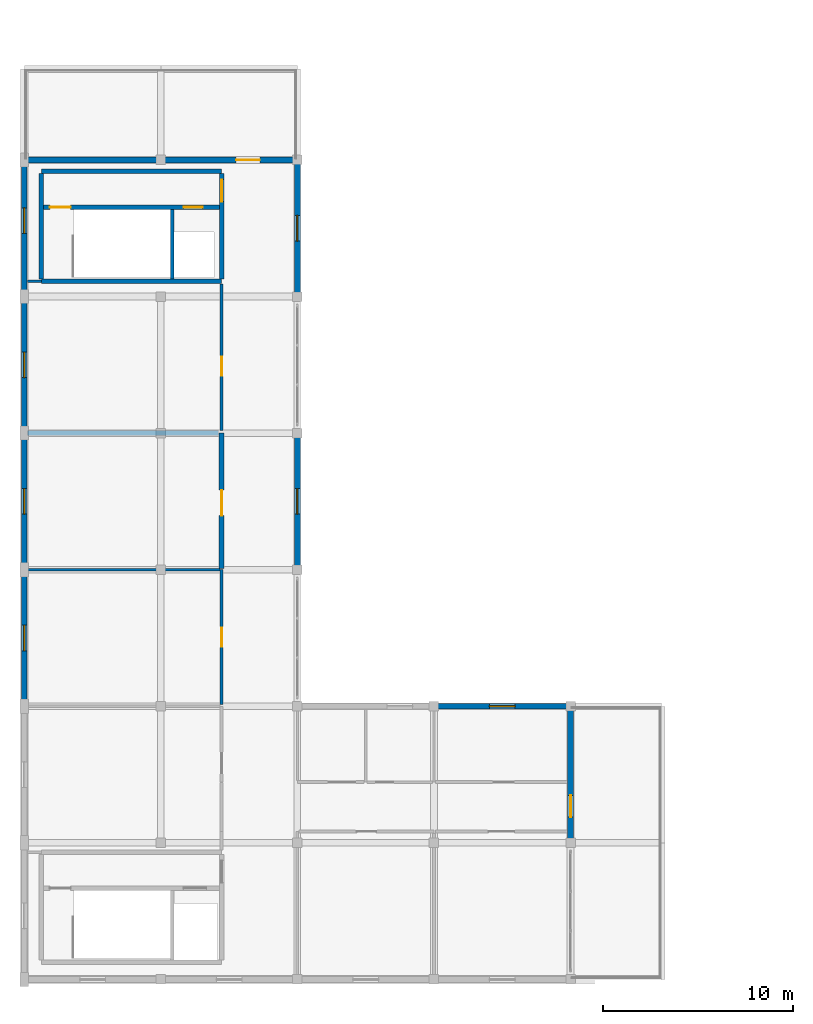
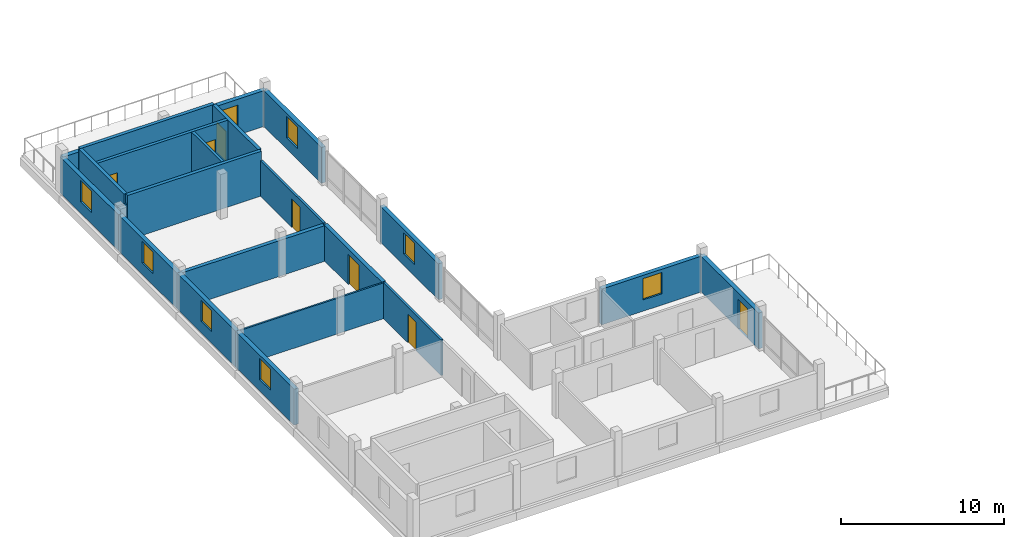
# One storey, part 15 of 18: 22 walls, 8 doors, 7 windows, 15 openings.
"""IFC4 building model written with IfcOpenShell, lengths in metres."""

import ifcopenshell
import ifcopenshell.guid

model = None  # the IFC model being written
_history = None  # IfcOwnerHistory: only IFC2X3 demands one
_inside = {}  # id of a spatial element -> (the spatial element, [elements in it])
_under = {}  # id of a project, library or spatial element -> (it, [spatial elements below it])
_declared = {}  # id of a project -> (the project, [libraries it declares])
_typed = {}  # id of a type object -> (the type object, [elements of that type])
_made_of = {}  # id of a material, layer set ... -> (it, [elements and type objects made of it])


def new_model(schema):
    """Start an empty IFC model of exactly this schema.

    Asked for "IFC4X3", IfcOpenShell would pick the latest addendum, in which some entities
    have other attributes; the version numbers below select the first issue.
    IFC2X3 requires an IfcOwnerHistory on every rooted entity: one is made here for all.
    """
    global model, _history
    if schema == "IFC4X3":
        model = ifcopenshell.file(schema_version=(4, 3, 0, 0))
    else:
        model = ifcopenshell.file(schema=schema)
    _inside.clear()
    _under.clear()
    _declared.clear()
    _typed.clear()
    _made_of.clear()
    _history = None
    if model.schema == "IFC2X3":
        org = make("IfcOrganization", Name="unknown")
        user = make(
            "IfcPersonAndOrganization",
            ThePerson=make("IfcPerson", FamilyName="unknown"),
            TheOrganization=org,
        )
        app = make(
            "IfcApplication",
            ApplicationDeveloper=org,
            Version="unknown",
            ApplicationFullName="unknown",
            ApplicationIdentifier="unknown",
        )
        _history = make(
            "IfcOwnerHistory",
            OwningUser=user,
            OwningApplication=app,
            ChangeAction="ADDED",
            CreationDate=0,
        )
    return model


def make(cls, **values):
    """One entity of the class cls with the attributes given. An attribute that is None is left unset."""
    return model.create_entity(
        cls, **{name: value for name, value in values.items() if value is not None}
    )


def rooted(cls, **values):
    """An entity with a GlobalId (a new one), such as an element, a storey or a relation."""
    return make(cls, GlobalId=ifcopenshell.guid.new(), OwnerHistory=_history, **values)


def si_unit(unit_type, name, prefix=None):
    """IfcSIUnit, for example si_unit("LENGTHUNIT", "METRE", prefix="MILLI")."""
    return make("IfcSIUnit", UnitType=unit_type, Prefix=prefix, Name=name)


def assignment(units):
    """IfcUnitAssignment: the units of a project."""
    return None if units is None else make("IfcUnitAssignment", Units=units)


def point(xyz):
    """IfcCartesianPoint."""
    return None if xyz is None else make("IfcCartesianPoint", Coordinates=xyz)


def direction(xyz):
    """IfcDirection."""
    return None if xyz is None else make("IfcDirection", DirectionRatios=xyz)


def frame(location, z_axis=None, x_axis=None):
    """IfcAxis2Placement3D, a coordinate frame: its origin and axes. An axis left out is left unset."""
    return make(
        "IfcAxis2Placement3D",
        Location=point(location),
        Axis=direction(z_axis),
        RefDirection=direction(x_axis),
    )


def frame_2d(location, x_axis=None):
    """IfcAxis2Placement2D, a coordinate frame in the plane: its origin and x axis."""
    return make(
        "IfcAxis2Placement2D", Location=point(location), RefDirection=direction(x_axis)
    )


def origin():
    """The frame at (0, 0, 0) with its axes left unset."""
    return frame((0.0, 0.0, 0.0))


def place(relative_to, where):
    """IfcLocalPlacement: puts the frame where relative to a parent placement (None: the world)."""
    return make(
        "IfcLocalPlacement", PlacementRelTo=relative_to, RelativePlacement=where
    )


def context(
    kind, dimensions, precision=None, world=None, true_north=None, identifier=None
):
    """IfcGeometricRepresentationContext, for example the 3D "Model" context."""
    return make(
        "IfcGeometricRepresentationContext",
        ContextIdentifier=identifier,
        ContextType=kind,
        CoordinateSpaceDimension=dimensions,
        Precision=precision,
        WorldCoordinateSystem=world,
        TrueNorth=true_north,
    )


def subcontext(parent, identifier, kind, view, scale=None):
    """IfcGeometricRepresentationSubContext, for example "Body" below "Model"."""
    return make(
        "IfcGeometricRepresentationSubContext",
        ContextIdentifier=identifier,
        ContextType=kind,
        ParentContext=parent,
        TargetScale=scale,
        TargetView=view,
    )


def project(units=None, contexts=None):
    """IfcProject with its units and contexts."""
    return rooted(
        "IfcProject",
        Name="project",
        RepresentationContexts=contexts,
        UnitsInContext=assignment(units),
    )


def spatial(cls, under=None, at=None, **own):
    """A site, building, storey or space (cls), placed at a placement, below another one or the project."""
    s = rooted(cls, ObjectPlacement=at, **own)
    if under is not None:
        _under.setdefault(under.id(), (under, []))[1].append(s)
    return s


def profile(cls, at=None, kind="AREA", **sizes):
    """A parametric profile (cls). Its sizes go by their IFC names, for example OverallWidth=200.0."""
    return make(cls, ProfileType=kind, Position=at, **sizes)


def rectangle(**sizes):
    """IfcRectangleProfileDef."""
    return profile("IfcRectangleProfileDef", **sizes)


def extrude(swept, where, along, depth):
    """IfcExtrudedAreaSolid: the profile swept, set in the frame where, extruded along a direction by depth."""
    return make(
        "IfcExtrudedAreaSolid",
        SweptArea=swept,
        Position=where,
        ExtrudedDirection=direction(along),
        Depth=depth,
    )


def shape(context_of_items, identifier, shape_type, items):
    """IfcShapeRepresentation: the items that make up one representation, for example the "Body"."""
    return make(
        "IfcShapeRepresentation",
        ContextOfItems=context_of_items,
        RepresentationIdentifier=identifier,
        RepresentationType=shape_type,
        Items=items,
    )


def material(Name=None, Category=None):
    """IfcMaterial."""
    return make("IfcMaterial", Name=Name, Category=Category)


def layer(
    of_material, thickness, ventilated=None, Name=None, Category=None, Priority=None
):
    """IfcMaterialLayer: one layer of a wall or slab, of a material (None: an air gap)."""
    return make(
        "IfcMaterialLayer",
        Material=of_material,
        LayerThickness=thickness,
        IsVentilated=ventilated,
        Name=Name,
        Category=Category,
        Priority=Priority,
    )


def layer_set(layers, Name=None):
    """IfcMaterialLayerSet."""
    return make("IfcMaterialLayerSet", MaterialLayers=layers, LayerSetName=Name)


def made_of(thing, what):
    """Note that an element or type object is made of a material, layer set ...; save() writes the relation."""
    if what is not None:
        _made_of.setdefault(what.id(), (what, []))[1].append(thing)
    return thing


def type_object(cls, material=None, **own):
    """A type object (cls), such as IfcWallType, which elements share."""
    return made_of(rooted(cls, **own), material)


def element(
    cls,
    number,
    at=None,
    inside=None,
    cuts=None,
    type_object=None,
    material=None,
    context=None,
    identifier="Body",
    shape_type=None,
    held_by="IfcProductDefinitionShape",
    body=None,
    shapes=None,
    **own,
):
    """One element of the class cls, such as IfcWall. Its Tag is "e" and its number.

    at: its placement. inside: the storey or other place that contains it. cuts: it is an
    opening in that element (IfcRelVoidsElement). A single representation is given by context,
    identifier, shape_type and body (its items); several are given by shapes. held_by: the class
    of the entity that holds the representations. save() writes the other relations.
    """
    e = rooted(cls, Tag="e%d" % number, ObjectPlacement=at, **own)
    if body is not None:
        shapes = [shape(context, identifier, shape_type, body)]
    if shapes is not None:
        e.Representation = make(held_by, Representations=shapes)
    if inside is not None:
        _inside.setdefault(inside.id(), (inside, []))[1].append(e)
    if cuts is not None:
        rooted(
            "IfcRelVoidsElement", RelatingBuildingElement=cuts, RelatedOpeningElement=e
        )
    if type_object is not None:
        _typed.setdefault(type_object.id(), (type_object, []))[1].append(e)
    return made_of(e, material)


def fill(opening, filler):
    """IfcRelFillsElement: the door or window that sits in an opening."""
    return rooted(
        "IfcRelFillsElement",
        RelatingOpeningElement=opening,
        RelatedBuildingElement=filler,
    )


def aggregate(whole, parts):
    """IfcRelAggregates: a whole, such as a stair, and the parts it consists of."""
    return rooted("IfcRelAggregates", RelatingObject=whole, RelatedObjects=parts)


def save(model, path):
    """Write the relations noted so far, then the file.

    IfcRelAggregates (storeys below a building ...), IfcRelContainedInSpatialStructure (elements
    in a storey), IfcRelDefinesByType, IfcRelAssociatesMaterial and IfcRelDeclares: one each for
    every whole, place, type object, material and project.
    """
    for whole, parts in _under.values():
        aggregate(whole, parts)
    for where, things in _inside.values():
        rooted(
            "IfcRelContainedInSpatialStructure",
            RelatedElements=things,
            RelatingStructure=where,
        )
    for kind, things in _typed.values():
        rooted("IfcRelDefinesByType", RelatedObjects=things, RelatingType=kind)
    for what, things in _made_of.values():
        rooted("IfcRelAssociatesMaterial", RelatedObjects=things, RelatingMaterial=what)
    for by, libraries in _declared.values():
        rooted("IfcRelDeclares", RelatingContext=by, RelatedDefinitions=libraries)
    model.write(path)


model = new_model("IFC4")

# Units and contexts
model_context = context("Model", 3, precision=1e-05, world=origin(), true_north=direction((0.0, 1.0)))
body_context = subcontext(model_context, "Body", "Model", "MODEL_VIEW")
ifc_project = project(units=[si_unit("LENGTHUNIT", "METRE"), si_unit("AREAUNIT", "SQUARE_METRE"), si_unit("VOLUMEUNIT", "CUBIC_METRE"), si_unit("PLANEANGLEUNIT", "RADIAN"), si_unit("MASSUNIT", "GRAM", prefix="KILO")], contexts=[model_context])

# Site, building, storey
site_placement = place(None, origin())
site = spatial("IfcSite", under=ifc_project, at=site_placement, CompositionType="ELEMENT")
building_placement = place(site_placement, origin())
building = spatial("IfcBuilding", under=site, at=building_placement, Name="Zornivar Specialist Clinic", CompositionType="ELEMENT")
storey_placement = place(building_placement, frame((0.0, 0.0, 23.39990234375)))
storey = spatial("IfcBuildingStorey", under=building, at=storey_placement, Name="L06", CompositionType="ELEMENT", Elevation=23.39990234375)

# Wall, opening, door
ifc_material_1 = material(Name="Masonry Timber-Clad Insulated Upper Cumba Wall", Category="masonry")
ifc_layer_1 = layer(ifc_material_1, 0.300048828125)
ifc_layer_set_1 = layer_set([ifc_layer_1], Name="Masonry Timber-Clad Insulated Upper Cumba Wall")
wall_type_1 = type_object("IfcWallType", Name="EW-CUMBA-300", PredefinedType="SOLIDWALL", material=ifc_layer_set_1)
wall_1_placement = place(storey_placement, frame((28.800048828125, 7.199951171875, 0.0), z_axis=(0.0, 0.0, 1.0), x_axis=(0.0, 1.0, 0.0)))
wall_1 = element("IfcWall", 1, at=wall_1_placement, inside=storey, type_object=wall_type_1, Name="ew:V2:L06:05", PredefinedType="SOLIDWALL", context=body_context, shape_type="SweptSolid", body=[
    extrude(rectangle(XDim=7.199951171875, YDim=0.300048828125, at=frame_2d((3.60009765625, 0.0))), origin(), (0.0, 0.0, 1.0), 2.690185546875),
])
opening_1_placement = place(wall_1_placement, frame((1.35009765625, 0.0, 0.0)))
opening_1 = element("IfcOpeningElement", 2, at=opening_1_placement, cuts=wall_1, Name="Opening TD-03", PredefinedType="OPENING", context=body_context, shape_type="SweptSolid", body=[
    extrude(rectangle(XDim=1.14990234375, YDim=2.199951171875, at=frame_2d((0.574951171875, 1.10009765625))), frame((0.0, 0.159912109375, 0.0), z_axis=(0.0, -1.0, 0.0), x_axis=(1.0, 0.0, 0.0)), (0.0, 0.0, 1.0), 0.320068359375),
])
ifc_material_2 = material(Name="Thermally Broken Glazed Aluminium Door", Category="aluminium")
door_type_1 = type_object("IfcDoorType", Name="TD-TERR-1150x2200", OperationType="NOTDEFINED", PredefinedType="DOOR", material=ifc_material_2)
door_1_placement = place(opening_1_placement, origin())
door_1 = element("IfcDoor", 3, at=door_1_placement, inside=storey, type_object=door_type_1, Name="door:V2:L06:terr:1", OperationType="SINGLE_SWING_LEFT", OverallHeight=2.199951171875, OverallWidth=1.14990234375, PredefinedType="DOOR", context=body_context, shape_type="SweptSolid", body=[
    extrude(rectangle(XDim=1.14990234375, YDim=2.199951171875, at=frame_2d((0.574951171875, 1.10009765625))), frame((0.0, 0.02490234375, 0.0), z_axis=(0.0, -1.0, 0.0), x_axis=(1.0, 0.0, 0.0)), (0.0, 0.0, 1.0), 0.050048828125),
])
fill(opening_1, door_1)

# Wall, opening, window
wall_2_placement = place(storey_placement, frame((28.800048828125, 14.39990234375, 0.0), z_axis=(0.0, 0.0, 1.0), x_axis=(-1.0, 0.0, 0.0)))
wall_2 = element("IfcWall", 4, at=wall_2_placement, inside=storey, type_object=wall_type_1, Name="ew:V2:L06:06", PredefinedType="SOLIDWALL", context=body_context, shape_type="SweptSolid", body=[
    extrude(rectangle(XDim=7.199951171875, YDim=0.300048828125, at=frame_2d((3.60009765625, 0.0))), origin(), (0.0, 0.0, 1.0), 2.690185546875),
])
opening_2_placement = place(wall_2_placement, frame((2.925048828125, 0.0, 0.85009765625)))
opening_2 = element("IfcOpeningElement", 5, at=opening_2_placement, cuts=wall_2, Name="Opening W-11", PredefinedType="OPENING", context=body_context, shape_type="SweptSolid", body=[
    extrude(rectangle(XDim=1.35009765625, YDim=1.60009765625, at=frame_2d((0.675048828125, 0.800048828125))), frame((0.0, 0.159912109375, 0.0), z_axis=(0.0, -1.0, 0.0), x_axis=(1.0, 0.0, 0.0)), (0.0, 0.0, 1.0), 0.320068359375),
])
ifc_material_3 = material(Name="Triple-Glazed Aluminium-Timber Window Glass", Category="wood")
window_type = type_object("IfcWindowType", Name="WIN-ATTIC-CORNER-1350x1600", PartitioningType="SINGLE_PANEL", PredefinedType="WINDOW", material=ifc_material_3)
window_1_placement = place(opening_2_placement, origin())
window_1 = element("IfcWindow", 6, at=window_1_placement, inside=storey, type_object=window_type, Name="win:V2:L06:06", OverallHeight=1.60009765625, OverallWidth=1.35009765625, PartitioningType="SINGLE_PANEL", PredefinedType="WINDOW", context=body_context, shape_type="SweptSolid", body=[
    extrude(rectangle(XDim=1.35009765625, YDim=1.60009765625, at=frame_2d((0.675048828125, 0.800048828125))), frame((0.0, 0.030029296875, 0.0), z_axis=(0.0, -1.0, 0.0), x_axis=(1.0, 0.0, 0.0)), (0.0, 0.0, 1.0), 0.06005859375),
])
fill(opening_2, window_1)

wall_3_placement = place(storey_placement, frame((14.39990234375, 21.60009765625, 0.0), z_axis=(0.0, 0.0, 1.0), x_axis=(0.0, 1.0, 0.0)))
wall_3 = element("IfcWall", 7, at=wall_3_placement, inside=storey, type_object=wall_type_1, Name="ew:V2:L06:09", PredefinedType="SOLIDWALL", context=body_context, shape_type="SweptSolid", body=[
    extrude(rectangle(XDim=7.199951171875, YDim=0.300048828125, at=frame_2d((3.60009765625, 0.0))), origin(), (0.0, 0.0, 1.0), 2.690185546875),
])
opening_3_placement = place(wall_3_placement, frame((2.925048828125, 0.0, 0.85009765625)))
opening_3 = element("IfcOpeningElement", 8, at=opening_3_placement, cuts=wall_3, Name="Opening W-11", PredefinedType="OPENING", context=body_context, shape_type="SweptSolid", body=[
    extrude(rectangle(XDim=1.35009765625, YDim=1.60009765625, at=frame_2d((0.675048828125, 0.800048828125))), frame((0.0, 0.159912109375, 0.0), z_axis=(0.0, -1.0, 0.0), x_axis=(1.0, 0.0, 0.0)), (0.0, 0.0, 1.0), 0.320068359375),
])
window_2_placement = place(opening_3_placement, origin())
window_2 = element("IfcWindow", 9, at=window_2_placement, inside=storey, type_object=window_type, Name="win:V2:L06:09", OverallHeight=1.60009765625, OverallWidth=1.35009765625, PartitioningType="SINGLE_PANEL", PredefinedType="WINDOW", context=body_context, shape_type="SweptSolid", body=[
    extrude(rectangle(XDim=1.35009765625, YDim=1.60009765625, at=frame_2d((0.675048828125, 0.800048828125))), frame((0.0, 0.030029296875, 0.0), z_axis=(0.0, -1.0, 0.0), x_axis=(1.0, 0.0, 0.0)), (0.0, 0.0, 1.0), 0.06005859375),
])
fill(opening_3, window_2)

wall_4_placement = place(storey_placement, frame((14.39990234375, 36.0, 0.0), z_axis=(0.0, 0.0, 1.0), x_axis=(0.0, 1.0, 0.0)))
wall_4 = element("IfcWall", 10, at=wall_4_placement, inside=storey, type_object=wall_type_1, Name="ew:V2:L06:11", PredefinedType="SOLIDWALL", context=body_context, shape_type="SweptSolid", body=[
    extrude(rectangle(XDim=7.199951171875, YDim=0.300048828125, at=frame_2d((3.60009765625, 0.0))), origin(), (0.0, 0.0, 1.0), 2.690185546875),
])
opening_4_placement = place(wall_4_placement, frame((2.925048828125, 0.0, 0.85009765625)))
opening_4 = element("IfcOpeningElement", 11, at=opening_4_placement, cuts=wall_4, Name="Opening W-11", PredefinedType="OPENING", context=body_context, shape_type="SweptSolid", body=[
    extrude(rectangle(XDim=1.35009765625, YDim=1.60009765625, at=frame_2d((0.675048828125, 0.800048828125))), frame((0.0, 0.159912109375, 0.0), z_axis=(0.0, -1.0, 0.0), x_axis=(1.0, 0.0, 0.0)), (0.0, 0.0, 1.0), 0.320068359375),
])
window_3_placement = place(opening_4_placement, origin())
window_3 = element("IfcWindow", 12, at=window_3_placement, inside=storey, type_object=window_type, Name="win:V2:L06:11", OverallHeight=1.60009765625, OverallWidth=1.35009765625, PartitioningType="SINGLE_PANEL", PredefinedType="WINDOW", context=body_context, shape_type="SweptSolid", body=[
    extrude(rectangle(XDim=1.35009765625, YDim=1.60009765625, at=frame_2d((0.675048828125, 0.800048828125))), frame((0.0, 0.030029296875, 0.0), z_axis=(0.0, -1.0, 0.0), x_axis=(1.0, 0.0, 0.0)), (0.0, 0.0, 1.0), 0.06005859375),
])
fill(opening_4, window_3)

# Wall, opening, door
wall_5_placement = place(storey_placement, frame((14.39990234375, 43.199951171875, 0.0), z_axis=(0.0, 0.0, 1.0), x_axis=(-1.0, 0.0, 0.0)))
wall_5 = element("IfcWall", 13, at=wall_5_placement, inside=storey, type_object=wall_type_1, Name="ew:V2:L06:12", PredefinedType="SOLIDWALL", context=body_context, shape_type="SweptSolid", body=[
    extrude(rectangle(XDim=7.199951171875, YDim=0.300048828125, at=frame_2d((3.60009765625, 0.0))), origin(), (0.0, 0.0, 1.0), 2.690185546875),
])
opening_5_placement = place(wall_5_placement, frame((1.97509765625, 0.0, 0.0)))
opening_5 = element("IfcOpeningElement", 14, at=opening_5_placement, cuts=wall_5, Name="Opening TD-02", PredefinedType="OPENING", context=body_context, shape_type="SweptSolid", body=[
    extrude(rectangle(XDim=1.25, YDim=2.25, at=frame_2d((0.625, 1.125))), frame((0.0, 0.159912109375, 0.0), z_axis=(0.0, -1.0, 0.0), x_axis=(1.0, 0.0, 0.0)), (0.0, 0.0, 1.0), 0.320068359375),
])
ifc_material_4 = material(Name="Thermally Broken Glazed Aluminium Door", Category="aluminium")
door_type_2 = type_object("IfcDoorType", Name="TD-TERR-1250x2250", OperationType="NOTDEFINED", PredefinedType="DOOR", material=ifc_material_4)
door_2_placement = place(opening_5_placement, origin())
door_2 = element("IfcDoor", 15, at=door_2_placement, inside=storey, type_object=door_type_2, Name="door:V2:L06:terr:0", OperationType="SINGLE_SWING_RIGHT", OverallHeight=2.25, OverallWidth=1.25, PredefinedType="DOOR", context=body_context, shape_type="SweptSolid", body=[
    extrude(rectangle(XDim=1.25, YDim=2.25, at=frame_2d((0.625, 1.125))), frame((0.0, 0.02490234375, 0.0), z_axis=(0.0, -1.0, 0.0), x_axis=(1.0, 0.0, 0.0)), (0.0, 0.0, 1.0), 0.050048828125),
])
fill(opening_5, door_2)

# Wall
wall_6_placement = place(storey_placement, frame((7.199951171875, 43.199951171875, 0.0), z_axis=(0.0, 0.0, 1.0), x_axis=(-1.0, 0.0, 0.0)))
element("IfcWall", 16, at=wall_6_placement, inside=storey, type_object=wall_type_1, Name="ew:V2:L06:13", PredefinedType="SOLIDWALL", context=body_context, shape_type="SweptSolid", body=[
    extrude(rectangle(XDim=7.199951171875, YDim=0.300048828125, at=frame_2d((3.60009765625, 0.0))), origin(), (0.0, 0.0, 1.0), 2.690185546875),
])

# Wall, opening, window
wall_7_placement = place(storey_placement, frame((0.0, 43.199951171875, 0.0), z_axis=(0.0, 0.0, 1.0), x_axis=(0.0, -1.0, 0.0)))
wall_7 = element("IfcWall", 17, at=wall_7_placement, inside=storey, type_object=wall_type_1, Name="ew:V2:L06:14", PredefinedType="SOLIDWALL", context=body_context, shape_type="SweptSolid", body=[
    extrude(rectangle(XDim=7.199951171875, YDim=0.300048828125, at=frame_2d((3.60009765625, 0.0))), origin(), (0.0, 0.0, 1.0), 2.690185546875),
])
opening_6_placement = place(wall_7_placement, frame((2.52490234375, 0.0, 0.85009765625)))
opening_6 = element("IfcOpeningElement", 18, at=opening_6_placement, cuts=wall_7, Name="Opening W-11", PredefinedType="OPENING", context=body_context, shape_type="SweptSolid", body=[
    extrude(rectangle(XDim=1.35009765625, YDim=1.60009765625, at=frame_2d((0.675048828125, 0.800048828125))), frame((0.0, 0.159912109375, 0.0), z_axis=(0.0, -1.0, 0.0), x_axis=(1.0, 0.0, 0.0)), (0.0, 0.0, 1.0), 0.320068359375),
])
window_4_placement = place(opening_6_placement, origin())
window_4 = element("IfcWindow", 19, at=window_4_placement, inside=storey, type_object=window_type, Name="win:V2:L06:14", OverallHeight=1.60009765625, OverallWidth=1.35009765625, PartitioningType="SINGLE_PANEL", PredefinedType="WINDOW", context=body_context, shape_type="SweptSolid", body=[
    extrude(rectangle(XDim=1.35009765625, YDim=1.60009765625, at=frame_2d((0.675048828125, 0.800048828125))), frame((0.0, 0.030029296875, 0.0), z_axis=(0.0, -1.0, 0.0), x_axis=(1.0, 0.0, 0.0)), (0.0, 0.0, 1.0), 0.06005859375),
])
fill(opening_6, window_4)

wall_8_placement = place(storey_placement, frame((0.0, 36.0, 0.0), z_axis=(0.0, 0.0, 1.0), x_axis=(0.0, -1.0, 0.0)))
wall_8 = element("IfcWall", 20, at=wall_8_placement, inside=storey, type_object=wall_type_1, Name="ew:V2:L06:15", PredefinedType="SOLIDWALL", context=body_context, shape_type="SweptSolid", body=[
    extrude(rectangle(XDim=7.199951171875, YDim=0.300048828125, at=frame_2d((3.60009765625, 0.0))), origin(), (0.0, 0.0, 1.0), 2.690185546875),
])
opening_7_placement = place(wall_8_placement, frame((2.925048828125, 0.0, 0.85009765625)))
opening_7 = element("IfcOpeningElement", 21, at=opening_7_placement, cuts=wall_8, Name="Opening W-11", PredefinedType="OPENING", context=body_context, shape_type="SweptSolid", body=[
    extrude(rectangle(XDim=1.35009765625, YDim=1.60009765625, at=frame_2d((0.675048828125, 0.800048828125))), frame((0.0, 0.159912109375, 0.0), z_axis=(0.0, -1.0, 0.0), x_axis=(1.0, 0.0, 0.0)), (0.0, 0.0, 1.0), 0.320068359375),
])
window_5_placement = place(opening_7_placement, origin())
window_5 = element("IfcWindow", 22, at=window_5_placement, inside=storey, type_object=window_type, Name="win:V2:L06:15", OverallHeight=1.60009765625, OverallWidth=1.35009765625, PartitioningType="SINGLE_PANEL", PredefinedType="WINDOW", context=body_context, shape_type="SweptSolid", body=[
    extrude(rectangle(XDim=1.35009765625, YDim=1.60009765625, at=frame_2d((0.675048828125, 0.800048828125))), frame((0.0, 0.030029296875, 0.0), z_axis=(0.0, -1.0, 0.0), x_axis=(1.0, 0.0, 0.0)), (0.0, 0.0, 1.0), 0.06005859375),
])
fill(opening_7, window_5)

wall_9_placement = place(storey_placement, frame((0.0, 28.800048828125, 0.0), z_axis=(0.0, 0.0, 1.0), x_axis=(0.0, -1.0, 0.0)))
wall_9 = element("IfcWall", 23, at=wall_9_placement, inside=storey, type_object=wall_type_1, Name="ew:V2:L06:16", PredefinedType="SOLIDWALL", context=body_context, shape_type="SweptSolid", body=[
    extrude(rectangle(XDim=7.199951171875, YDim=0.300048828125, at=frame_2d((3.60009765625, 0.0))), origin(), (0.0, 0.0, 1.0), 2.690185546875),
])
opening_8_placement = place(wall_9_placement, frame((2.925048828125, 0.0, 0.85009765625)))
opening_8 = element("IfcOpeningElement", 24, at=opening_8_placement, cuts=wall_9, Name="Opening W-11", PredefinedType="OPENING", context=body_context, shape_type="SweptSolid", body=[
    extrude(rectangle(XDim=1.35009765625, YDim=1.60009765625, at=frame_2d((0.675048828125, 0.800048828125))), frame((0.0, 0.159912109375, 0.0), z_axis=(0.0, -1.0, 0.0), x_axis=(1.0, 0.0, 0.0)), (0.0, 0.0, 1.0), 0.320068359375),
])
window_6_placement = place(opening_8_placement, origin())
window_6 = element("IfcWindow", 25, at=window_6_placement, inside=storey, type_object=window_type, Name="win:V2:L06:16", OverallHeight=1.60009765625, OverallWidth=1.35009765625, PartitioningType="SINGLE_PANEL", PredefinedType="WINDOW", context=body_context, shape_type="SweptSolid", body=[
    extrude(rectangle(XDim=1.35009765625, YDim=1.60009765625, at=frame_2d((0.675048828125, 0.800048828125))), frame((0.0, 0.030029296875, 0.0), z_axis=(0.0, -1.0, 0.0), x_axis=(1.0, 0.0, 0.0)), (0.0, 0.0, 1.0), 0.06005859375),
])
fill(opening_8, window_6)

wall_10_placement = place(storey_placement, frame((0.0, 21.60009765625, 0.0), z_axis=(0.0, 0.0, 1.0), x_axis=(0.0, -1.0, 0.0)))
wall_10 = element("IfcWall", 26, at=wall_10_placement, inside=storey, type_object=wall_type_1, Name="ew:V2:L06:17", PredefinedType="SOLIDWALL", context=body_context, shape_type="SweptSolid", body=[
    extrude(rectangle(XDim=7.2001953125, YDim=0.300048828125, at=frame_2d((3.60009765625, 0.0))), origin(), (0.0, 0.0, 1.0), 2.690185546875),
])
opening_9_placement = place(wall_10_placement, frame((2.925048828125, 0.0, 0.85009765625)))
opening_9 = element("IfcOpeningElement", 27, at=opening_9_placement, cuts=wall_10, Name="Opening W-11", PredefinedType="OPENING", context=body_context, shape_type="SweptSolid", body=[
    extrude(rectangle(XDim=1.35009765625, YDim=1.60009765625, at=frame_2d((0.675048828125, 0.800048828125))), frame((0.0, 0.159912109375, 0.0), z_axis=(0.0, -1.0, 0.0), x_axis=(1.0, 0.0, 0.0)), (0.0, 0.0, 1.0), 0.320068359375),
])
window_7_placement = place(opening_9_placement, origin())
window_7 = element("IfcWindow", 28, at=window_7_placement, inside=storey, type_object=window_type, Name="win:V2:L06:17", OverallHeight=1.60009765625, OverallWidth=1.35009765625, PartitioningType="SINGLE_PANEL", PredefinedType="WINDOW", context=body_context, shape_type="SweptSolid", body=[
    extrude(rectangle(XDim=1.35009765625, YDim=1.60009765625, at=frame_2d((0.675048828125, 0.800048828125))), frame((0.0, 0.030029296875, 0.0), z_axis=(0.0, -1.0, 0.0), x_axis=(1.0, 0.0, 0.0)), (0.0, 0.0, 1.0), 0.06005859375),
])
fill(opening_9, window_7)

# Wall, opening, door
ifc_material_5 = material(Name="High-Mass Acoustic Auditorium and Audiometry Partition")
ifc_layer_2 = layer(ifc_material_5, 0.27001953125)
ifc_layer_set_2 = layer_set([ifc_layer_2], Name="High-Mass Acoustic Auditorium and Audiometry Partition")
wall_type_2 = type_object("IfcWallType", Name="IW-ACOUSTIC-AUD-270", PredefinedType="PARTITIONING", material=ifc_layer_set_2)
wall_11_placement = place(storey_placement, frame((10.39990234375, 28.800048828125, 0.0), z_axis=(0.0, 0.0, 1.0), x_axis=(0.0, -1.0, 0.0)))
wall_11 = element("IfcWall", 29, at=wall_11_placement, inside=storey, type_object=wall_type_2, Name="iw:L06:007", PredefinedType="PARTITIONING", context=body_context, shape_type="SweptSolid", body=[
    extrude(rectangle(XDim=7.1259765625, YDim=0.27001953125, at=frame_2d((3.56298828125, 0.0))), origin(), (0.0, 0.0, 1.0), 2.68017578125),
])
opening_10_placement = place(wall_11_placement, frame((3.0029296875, 0.0, 0.0)))
opening_10 = element("IfcOpeningElement", 30, at=opening_10_placement, cuts=wall_11, Name="Opening ID-10", PredefinedType="OPENING", context=body_context, shape_type="SweptSolid", body=[
    extrude(rectangle(XDim=1.35009765625, YDim=2.25, at=frame_2d((0.675048828125, 1.125))), frame((0.0, 0.14501953125, 0.0), z_axis=(0.0, -1.0, 0.0), x_axis=(1.0, 0.0, 0.0)), (0.0, 0.0, 1.0), 0.2900390625),
])
ifc_material_6 = material(Name="Solid-Core Hygienic Laminate Timber Door", Category="wood")
door_type_3 = type_object("IfcDoorType", Name="ID-TEACH-1350x2250", OperationType="NOTDEFINED", PredefinedType="DOOR", material=ifc_material_6)
door_3_placement = place(opening_10_placement, origin())
door_3 = element("IfcDoor", 31, at=door_3_placement, inside=storey, type_object=door_type_3, Name="door:space:V2:L06:rm:02", OperationType="SINGLE_SWING_RIGHT", OverallHeight=2.25, OverallWidth=1.35009765625, PredefinedType="DOOR", context=body_context, shape_type="SweptSolid", body=[
    extrude(rectangle(XDim=1.35009765625, YDim=2.25, at=frame_2d((0.675048828125, 1.125))), frame((0.0, 0.02490234375, 0.0), z_axis=(0.0, -1.0, 0.0), x_axis=(1.0, 0.0, 0.0)), (0.0, 0.0, 1.0), 0.050048828125),
])
fill(opening_10, door_3)

# Walls
wall_12_placement = place(storey_placement, frame((0.1650390625, 28.800048828125, 0.0), z_axis=(0.0, 0.0, 1.0), x_axis=(1.0, 0.0, 0.0)))
element("IfcWall", 32, at=wall_12_placement, inside=storey, type_object=wall_type_2, Name="iw:L06:008", PredefinedType="PARTITIONING", context=body_context, shape_type="SweptSolid", body=[
    extrude(rectangle(XDim=10.0859375, YDim=0.27001953125, at=frame_2d((5.04296875, 0.0))), origin(), (0.0, 0.0, 1.0), 2.68017578125),
])
ifc_material_7 = material(Name="Acoustic Clinical Stud Partition")
ifc_layer_3 = layer(ifc_material_7, 0.139892578125)
ifc_layer_set_3 = layer_set([ifc_layer_3], Name="Acoustic Clinical Stud Partition")
wall_type_3 = type_object("IfcWallType", Name="IW-CLIN-140", PredefinedType="PARTITIONING", material=ifc_layer_set_3)
wall_13_placement = place(storey_placement, frame((0.1650390625, 36.800048828125, 0.0), z_axis=(0.0, 0.0, 1.0), x_axis=(1.0, 0.0, 0.0)))
element("IfcWall", 33, at=wall_13_placement, inside=storey, type_object=wall_type_3, Name="iw:L06:010", PredefinedType="PARTITIONING", context=body_context, shape_type="SweptSolid", body=[
    extrude(rectangle(XDim=0.73486328125, YDim=0.139892578125, at=frame_2d((0.367431640625, 0.0))), origin(), (0.0, 0.0, 1.0), 2.68017578125),
])

# Wall, opening, door
ifc_material_8 = material(Name="Gypsum Fire-Rated Double Stud Partition")
ifc_layer_4 = layer(ifc_material_8, 0.159912109375)
ifc_layer_set_4 = layer_set([ifc_layer_4], Name="Gypsum Fire-Rated Double Stud Partition")
wall_type_4 = type_object("IfcWallType", Name="IW-CORR-EI60-160", PredefinedType="PARTITIONING", material=ifc_layer_set_4)
wall_14_placement = place(storey_placement, frame((10.39990234375, 21.60009765625, 0.0), z_axis=(0.0, 0.0, 1.0), x_axis=(0.0, -1.0, 0.0)))
wall_14 = element("IfcWall", 34, at=wall_14_placement, inside=storey, type_object=wall_type_4, Name="iw:L06:005", PredefinedType="PARTITIONING", context=body_context, shape_type="SweptSolid", body=[
    extrude(rectangle(XDim=7.1162109375, YDim=0.159912109375, at=frame_2d((3.55810546875, 0.0))), origin(), (0.0, 0.0, 1.0), 2.68017578125),
])
opening_11_placement = place(wall_14_placement, frame((3.048095703125, 0.0, 0.0)))
opening_11 = element("IfcOpeningElement", 35, at=opening_11_placement, cuts=wall_14, Name="Opening ID-14", PredefinedType="OPENING", context=body_context, shape_type="SweptSolid", body=[
    extrude(rectangle(XDim=1.02001953125, YDim=2.14990234375, at=frame_2d((0.510009765625, 1.074951171875))), frame((0.0, 0.08984375, 0.0), z_axis=(0.0, -1.0, 0.0), x_axis=(1.0, 0.0, 0.0)), (0.0, 0.0, 1.0), 0.179931640625),
])
ifc_material_9 = material(Name="Solid-Core Hygienic Laminate Timber Door", Category="wood")
door_type_4 = type_object("IfcDoorType", Name="ID-OFFICE-1020x2150", OperationType="NOTDEFINED", PredefinedType="DOOR", material=ifc_material_9)
door_4_placement = place(opening_11_placement, origin())
door_4 = element("IfcDoor", 36, at=door_4_placement, inside=storey, type_object=door_type_4, Name="door:space:V2:L06:rm:01", OperationType="SINGLE_SWING_LEFT", OverallHeight=2.14990234375, OverallWidth=1.02001953125, PredefinedType="DOOR", context=body_context, shape_type="SweptSolid", body=[
    extrude(rectangle(XDim=1.02001953125, YDim=2.14990234375, at=frame_2d((0.510009765625, 1.074951171875))), frame((0.0, 0.02490234375, 0.0), z_axis=(0.0, -1.0, 0.0), x_axis=(1.0, 0.0, 0.0)), (0.0, 0.0, 1.0), 0.050048828125),
])
fill(opening_11, door_4)

wall_15_placement = place(storey_placement, frame((10.39990234375, 36.6650390625, 0.0), z_axis=(0.0, 0.0, 1.0), x_axis=(0.0, -1.0, 0.0)))
wall_15 = element("IfcWall", 37, at=wall_15_placement, inside=storey, type_object=wall_type_4, Name="iw:L06:009", PredefinedType="PARTITIONING", context=body_context, shape_type="SweptSolid", body=[
    extrude(rectangle(XDim=7.716064453125, YDim=0.159912109375, at=frame_2d((3.85791015625, 0.0))), origin(), (0.0, 0.0, 1.0), 2.68017578125),
])
opening_12_placement = place(wall_15_placement, frame((3.825927734375, 0.0, 0.0)))
opening_12 = element("IfcOpeningElement", 38, at=opening_12_placement, cuts=wall_15, Name="Opening ID-14", PredefinedType="OPENING", context=body_context, shape_type="SweptSolid", body=[
    extrude(rectangle(XDim=1.02001953125, YDim=2.14990234375, at=frame_2d((0.510009765625, 1.074951171875))), frame((0.0, 0.08984375, 0.0), z_axis=(0.0, -1.0, 0.0), x_axis=(1.0, 0.0, 0.0)), (0.0, 0.0, 1.0), 0.179931640625),
])
door_5_placement = place(opening_12_placement, origin())
door_5 = element("IfcDoor", 39, at=door_5_placement, inside=storey, type_object=door_type_4, Name="door:space:V2:L06:rm:03", OperationType="SINGLE_SWING_LEFT", OverallHeight=2.14990234375, OverallWidth=1.02001953125, PredefinedType="DOOR", context=body_context, shape_type="SweptSolid", body=[
    extrude(rectangle(XDim=1.02001953125, YDim=2.14990234375, at=frame_2d((0.510009765625, 1.074951171875))), frame((0.0, 0.02490234375, 0.0), z_axis=(0.0, -1.0, 0.0), x_axis=(1.0, 0.0, 0.0)), (0.0, 0.0, 1.0), 0.050048828125),
])
fill(opening_12, door_5)

# Walls
ifc_material_10 = material(Name="Acoustic Glazed Consultation Partition")
ifc_layer_5 = layer(ifc_material_10, 0.1201171875)
ifc_layer_set_5 = layer_set([ifc_layer_5], Name="Acoustic Glazed Consultation Partition")
wall_type_5 = type_object("IfcWallType", Name="IW-GLAZ-120", PredefinedType="PARTITIONING", material=ifc_layer_set_5)
wall_16_placement = place(storey_placement, frame((0.1650390625, 21.60009765625, 0.0), z_axis=(0.0, 0.0, 1.0), x_axis=(1.0, 0.0, 0.0)))
element("IfcWall", 40, at=wall_16_placement, inside=storey, type_object=wall_type_5, Name="iw:L06:006", PredefinedType="PARTITIONING", context=body_context, shape_type="SweptSolid", body=[
    extrude(rectangle(XDim=10.140869140625, YDim=0.1201171875, at=frame_2d((5.0703125, 0.0))), origin(), (0.0, 0.0, 1.0), 2.68017578125),
])
ifc_material_11 = material(Name="Concrete C35/45", Category="concrete")
ifc_layer_6 = layer(ifc_material_11, 0.239990234375)
ifc_layer_set_6 = layer_set([ifc_layer_6], Name="Concrete C35/45")
wall_type_6 = type_object("IfcWallType", Name="SW-CORE-240", PredefinedType="SHEAR", material=ifc_layer_set_6)
wall_17_placement = place(storey_placement, frame((0.89990234375, 36.800048828125, 0.0), z_axis=(0.0, 0.0, 1.0), x_axis=(1.0, 0.0, 0.0)))
element("IfcWall", 41, at=wall_17_placement, inside=storey, type_object=wall_type_6, Name="sw:C2:L06:w0", PredefinedType="SHEAR", context=body_context, shape_type="SweptSolid", body=[
    extrude(rectangle(XDim=9.5, YDim=0.239990234375, at=frame_2d((4.75, 0.0))), origin(), (0.0, 0.0, 1.0), 3.360107421875),
])

# Wall, opening, door
wall_18_placement = place(storey_placement, frame((10.39990234375, 36.919921875, 0.0), z_axis=(0.0, 0.0, 1.0), x_axis=(0.0, 1.0, 0.0)))
wall_18 = element("IfcWall", 42, at=wall_18_placement, inside=storey, type_object=wall_type_6, Name="sw:C2:L06:w1", PredefinedType="SHEAR", context=body_context, shape_type="SweptSolid", body=[
    extrude(rectangle(XDim=5.56005859375, YDim=0.239990234375, at=frame_2d((2.780029296875, 0.0))), origin(), (0.0, 0.0, 1.0), 3.360107421875),
])
opening_13_placement = place(wall_18_placement, frame((4.090087890625, 0.0, 0.0)))
opening_13 = element("IfcOpeningElement", 43, at=opening_13_placement, cuts=wall_18, Name="Opening FD-03", PredefinedType="OPENING", context=body_context, shape_type="SweptSolid", body=[
    extrude(rectangle(XDim=1.14990234375, YDim=2.199951171875, at=frame_2d((0.574951171875, 1.10009765625))), frame((0.0, 0.1298828125, 0.0), z_axis=(0.0, -1.0, 0.0), x_axis=(1.0, 0.0, 0.0)), (0.0, 0.0, 1.0), 0.260009765625),
])
ifc_material_12 = material(Name="Solid-Core Hygienic Laminate Timber Door", Category="wood")
door_type_5 = type_object("IfcDoorType", Name="FD-LOBBY-UPPER-1150x2200", OperationType="NOTDEFINED", PredefinedType="DOOR", material=ifc_material_12)
door_6_placement = place(opening_13_placement, origin())
door_6 = element("IfcDoor", 44, at=door_6_placement, inside=storey, type_object=door_type_5, Name="door:C2:L06:lob", OperationType="SINGLE_SWING_RIGHT", OverallHeight=2.199951171875, OverallWidth=1.14990234375, PredefinedType="DOOR", context=body_context, shape_type="SweptSolid", body=[
    extrude(rectangle(XDim=1.14990234375, YDim=2.199951171875, at=frame_2d((0.574951171875, 1.10009765625))), frame((0.0, 0.02490234375, 0.0), z_axis=(0.0, -1.0, 0.0), x_axis=(1.0, 0.0, 0.0)), (0.0, 0.0, 1.0), 0.050048828125),
])
fill(opening_13, door_6)

# Walls
wall_19_placement = place(storey_placement, frame((10.39990234375, 42.60009765625, 0.0), z_axis=(0.0, 0.0, 1.0), x_axis=(-1.0, 0.0, 0.0)))
element("IfcWall", 45, at=wall_19_placement, inside=storey, type_object=wall_type_6, Name="sw:C2:L06:w2", PredefinedType="SHEAR", context=body_context, shape_type="SweptSolid", body=[
    extrude(rectangle(XDim=9.5, YDim=0.239990234375, at=frame_2d((4.75, 0.0))), origin(), (0.0, 0.0, 1.0), 3.360107421875),
])
wall_20_placement = place(storey_placement, frame((0.89990234375, 42.47998046875, 0.0), z_axis=(0.0, 0.0, 1.0), x_axis=(0.0, -1.0, 0.0)))
element("IfcWall", 46, at=wall_20_placement, inside=storey, type_object=wall_type_6, Name="sw:C2:L06:w3", PredefinedType="SHEAR", context=body_context, shape_type="SweptSolid", body=[
    extrude(rectangle(XDim=5.56005859375, YDim=0.239990234375, at=frame_2d((2.780029296875, 0.0))), origin(), (0.0, 0.0, 1.0), 3.360107421875),
])
ifc_material_13 = material(Name="Concrete C30/37", Category="concrete")
ifc_layer_7 = layer(ifc_material_13, 0.199951171875)
ifc_layer_set_7 = layer_set([ifc_layer_7], Name="Concrete C30/37")
wall_type_7 = type_object("IfcWallType", Name="SW-LIFT-200", PredefinedType="SHEAR", material=ifc_layer_set_7)
wall_21_placement = place(storey_placement, frame((7.800048828125, 36.919921875, 0.0), z_axis=(0.0, 0.0, 1.0), x_axis=(0.0, 1.0, 0.0)))
element("IfcWall", 47, at=wall_21_placement, inside=storey, type_object=wall_type_7, Name="sw:C2:L06:sdiv", PredefinedType="SHEAR", context=body_context, shape_type="SweptSolid", body=[
    extrude(rectangle(XDim=3.68017578125, YDim=0.199951171875, at=frame_2d((1.840087890625, 0.0))), origin(), (0.0, 0.0, 1.0), 3.360107421875),
])

# Wall, openings, doors
ifc_material_14 = material(Name="Concrete C30/37", Category="concrete")
ifc_layer_8 = layer(ifc_material_14, 0.219970703125)
ifc_layer_set_8 = layer_set([ifc_layer_8], Name="Concrete C30/37")
wall_type_8 = type_object("IfcWallType", Name="SW-SHAFT-220", PredefinedType="SHEAR", material=ifc_layer_set_8)
wall_22_placement = place(storey_placement, frame((1.02001953125, 40.7099609375, 0.0), z_axis=(0.0, 0.0, 1.0), x_axis=(1.0, 0.0, 0.0)))
wall_22 = element("IfcWall", 48, at=wall_22_placement, inside=storey, type_object=wall_type_8, Name="sw:C2:L06:stwall", PredefinedType="SHEAR", context=body_context, shape_type="SweptSolid", body=[
    extrude(rectangle(XDim=9.260009765625, YDim=0.219970703125, at=frame_2d((4.6298828125, 0.0))), origin(), (0.0, 0.0, 1.0), 3.360107421875),
])
opening_14_placement = place(wall_22_placement, frame((0.330078125, 0.0, 0.0)))
opening_14 = element("IfcOpeningElement", 49, at=opening_14_placement, cuts=wall_22, Name="Opening FD-02", PredefinedType="OPENING", context=body_context, shape_type="SweptSolid", body=[
    extrude(rectangle(XDim=1.10009765625, YDim=2.14990234375, at=frame_2d((0.550048828125, 1.074951171875))), frame((0.0, 0.119873046875, 0.0), z_axis=(0.0, -1.0, 0.0), x_axis=(1.0, 0.0, 0.0)), (0.0, 0.0, 1.0), 0.239990234375),
])
opening_15_placement = place(wall_22_placement, frame((7.3798828125, 0.0, 0.0)))
opening_15 = element("IfcOpeningElement", 50, at=opening_15_placement, cuts=wall_22, Name="Opening LD-02", PredefinedType="OPENING", context=body_context, shape_type="SweptSolid", body=[
    extrude(rectangle(XDim=1.0, YDim=2.199951171875, at=frame_2d((0.5, 1.10009765625))), frame((0.0, 0.119873046875, 0.0), z_axis=(0.0, -1.0, 0.0), x_axis=(1.0, 0.0, 0.0)), (0.0, 0.0, 1.0), 0.239990234375),
])
ifc_material_15 = material(Name="Solid-Core Hygienic Laminate Timber Door", Category="wood")
door_type_6 = type_object("IfcDoorType", Name="FD-STAIR-1100x2150", OperationType="NOTDEFINED", PredefinedType="DOOR", material=ifc_material_15)
door_7_placement = place(opening_14_placement, origin())
door_7 = element("IfcDoor", 51, at=door_7_placement, inside=storey, type_object=door_type_6, Name="door:C2:L06:stair", OperationType="SINGLE_SWING_LEFT", OverallHeight=2.14990234375, OverallWidth=1.10009765625, PredefinedType="DOOR", context=body_context, shape_type="SweptSolid", body=[
    extrude(rectangle(XDim=1.10009765625, YDim=2.14990234375, at=frame_2d((0.550048828125, 1.074951171875))), frame((0.0, 0.02490234375, 0.0), z_axis=(0.0, -1.0, 0.0), x_axis=(1.0, 0.0, 0.0)), (0.0, 0.0, 1.0), 0.050048828125),
])
fill(opening_14, door_7)
ifc_material_16 = material(Name="Stainless Steel Lift Landing Sliding Door", Category="steel")
door_type_7 = type_object("IfcDoorType", Name="LD-LIFT-1000x2200", OperationType="NOTDEFINED", PredefinedType="DOOR", material=ifc_material_16)
door_8_placement = place(opening_15_placement, origin())
door_8 = element("IfcDoor", 52, at=door_8_placement, inside=storey, type_object=door_type_7, Name="door:C2:L06:lift", OperationType="DOUBLE_DOOR_SLIDING", OverallHeight=2.199951171875, OverallWidth=1.0, PredefinedType="DOOR", context=body_context, shape_type="SweptSolid", body=[
    extrude(rectangle(XDim=1.0, YDim=2.199951171875, at=frame_2d((0.5, 1.10009765625))), frame((0.0, 0.02490234375, 0.0), z_axis=(0.0, -1.0, 0.0), x_axis=(1.0, 0.0, 0.0)), (0.0, 0.0, 1.0), 0.050048828125),
])
fill(opening_15, door_8)

save(model, "model.ifc")
